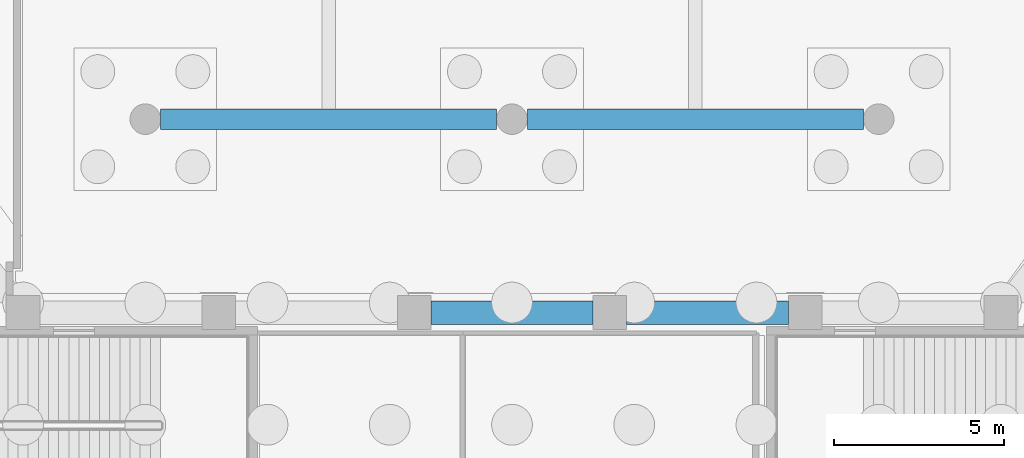
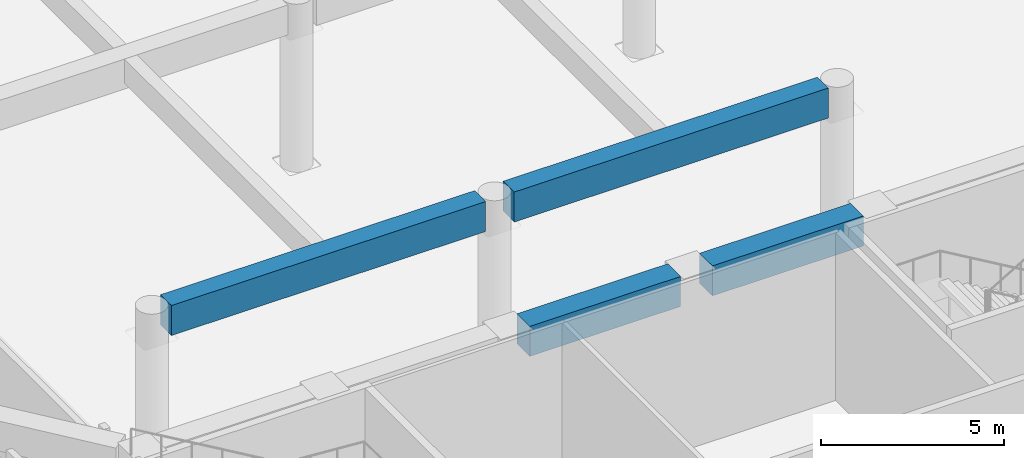
# One storey, part 5 of 32: 4 beams.
"""IFC4 building model written with IfcOpenShell, lengths in metres."""

from ifc_helpers import new_model, si_unit, direction, frame, origin, origin_2d, place, context, subcontext, project, spatial, rectangle, extrude, material, material_profile, profile_set, type_object, element, save


model = new_model("IFC4")

# Units and contexts
model_context = context("Model", 3, precision=1e-05, world=origin(), true_north=direction((0.0, 1.0)))
body_context = subcontext(model_context, "Body", "Model", "MODEL_VIEW")
ifc_project = project(units=[si_unit("LENGTHUNIT", "METRE"), si_unit("AREAUNIT", "SQUARE_METRE"), si_unit("VOLUMEUNIT", "CUBIC_METRE"), si_unit("PLANEANGLEUNIT", "RADIAN"), si_unit("MASSUNIT", "GRAM", prefix="KILO")], contexts=[model_context])

# Site, building, storey
site_placement = place(None, origin())
site = spatial("IfcSite", under=ifc_project, at=site_placement, CompositionType="ELEMENT")
building_placement = place(site_placement, origin())
building = spatial("IfcBuilding", under=site, at=building_placement, Name="Quipu Civic Tower", CompositionType="ELEMENT")
storey_placement = place(building_placement, origin())
storey = spatial("IfcBuildingStorey", under=building, at=storey_placement, Name="L00", CompositionType="ELEMENT", Elevation=0.0)

# Beams
ifc_material_1 = material(Name="Concrete C50/60", Category="concrete")
ifc_material_profile_1 = material_profile(ifc_material_1, rectangle(XDim=0.60009765625, YDim=1.0, at=origin_2d()), Name="RC600x1000")
ifc_profile_set_1 = profile_set([ifc_material_profile_1], Name="Concrete C50/60")
beam_type_1 = type_object("IfcBeamType", Name="Deck girder RC 600x1000 C50/60", PredefinedType="BEAM", material=ifc_profile_set_1)
for number, where, z_axis, x_axis, name in (
    (1, (-10.35009765625, 16.199951171875, 5.10009765625), (1.0, 0.0, 0.0), (0.0, 1.0, 0.0), "Deck girder -2 16"),
    (2, (0.449951171875, 16.199951171875, 5.10009765625), (1.0, 0.0, 0.0), (0.0, 1.0, 0.0), "Deck girder 0 16"),
):
    element("IfcBeam", number, at=place(storey_placement, frame(where, z_axis=z_axis, x_axis=x_axis)), inside=storey, type_object=beam_type_1, Name=name, PredefinedType="BEAM", context=body_context, shape_type="SweptSolid", body=[
        extrude(rectangle(XDim=0.60009765625, YDim=1.0, at=origin_2d()), origin(), (0.0, 0.0, 1.0), 9.900146484375),
    ])
ifc_material_2 = material(Name="Concrete C50/60", Category="concrete")
ifc_material_profile_2 = material_profile(ifc_material_2, rectangle(XDim=0.699951171875, YDim=1.0, at=origin_2d()), Name="RC700x1000")
ifc_profile_set_2 = profile_set([ifc_material_profile_2], Name="Concrete C50/60")
beam_type_2 = type_object("IfcBeamType", Name="Spandrel beam RC 700x1000 C50/60", PredefinedType="SPANDREL", material=ifc_profile_set_2)
beam_1_placement = place(storey_placement, frame((8.13720703125, 10.5, 5.10009765625), z_axis=(-1.0, 0.0, 0.0), x_axis=(0.0, -1.0, 0.0)))
element("IfcBeam", 3, at=beam_1_placement, inside=storey, type_object=beam_type_2, Name="Spandrel beam L00 FRONT-01 to FRONT-02", PredefinedType="SPANDREL", context=body_context, shape_type="SweptSolid", body=[
    extrude(rectangle(XDim=0.699951171875, YDim=1.0, at=origin_2d()), origin(), (0.0, 0.0, 1.0), 4.75830078125),
])
beam_2_placement = place(storey_placement, frame((2.37890625, 10.5, 5.10009765625), z_axis=(-1.0, 0.0, 0.0), x_axis=(0.0, -1.0, 0.0)))
element("IfcBeam", 4, at=beam_2_placement, inside=storey, type_object=beam_type_2, Name="Spandrel beam L00 FRONT-02 to FRONT-03", PredefinedType="SPANDREL", context=body_context, shape_type="SweptSolid", body=[
    extrude(rectangle(XDim=0.699951171875, YDim=1.0, at=origin_2d()), origin(), (0.0, 0.0, 1.0), 4.7578125),
])

save(model, "model.ifc")
